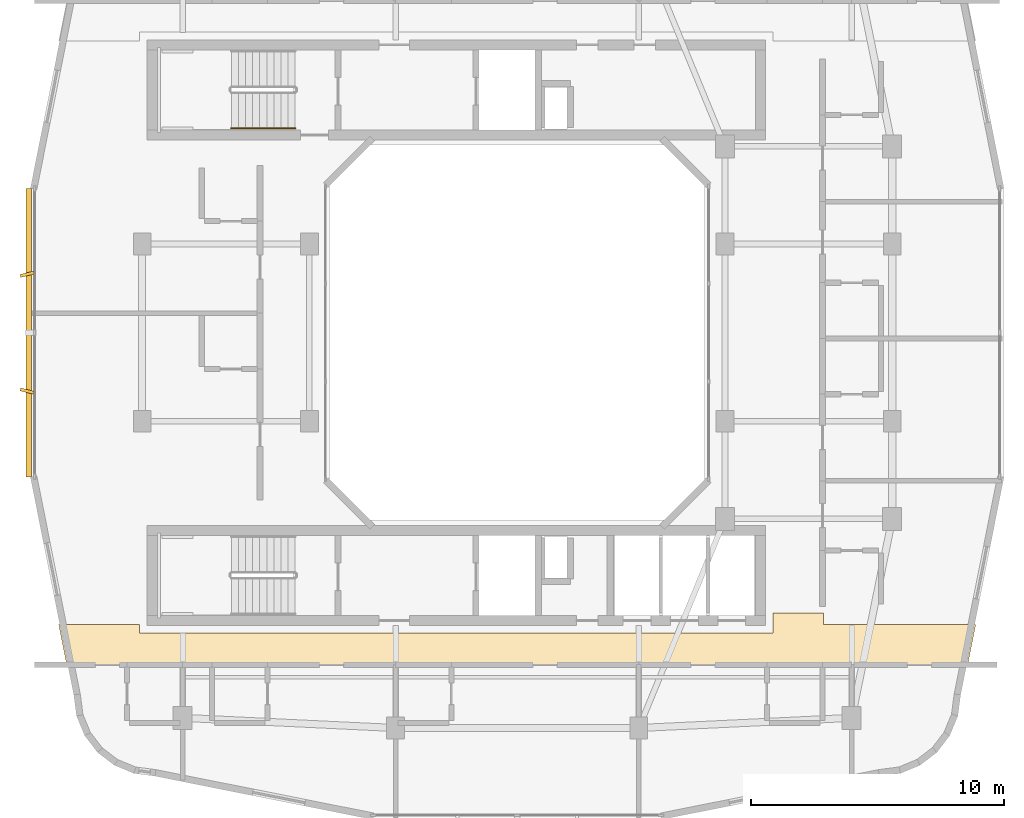
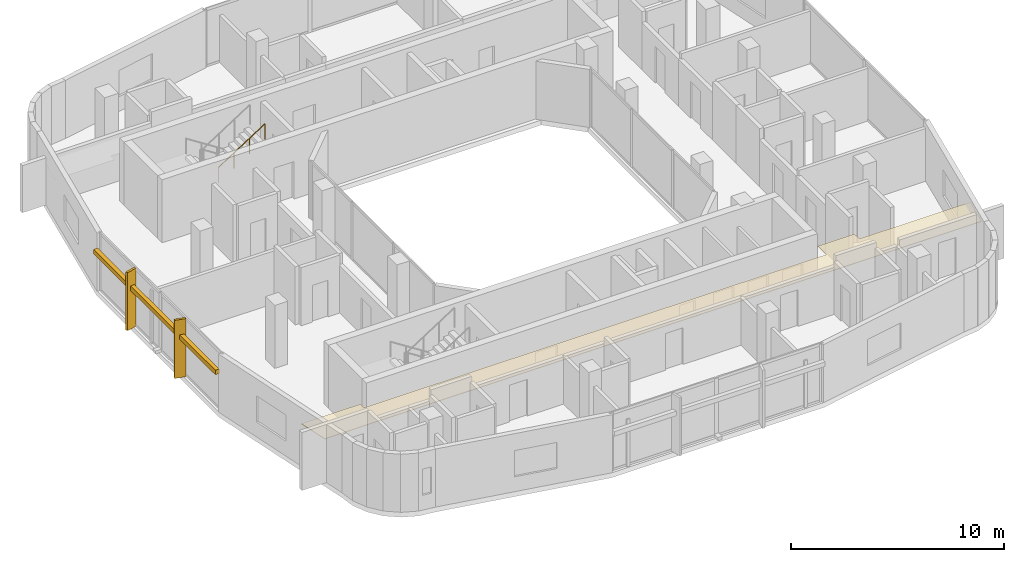
# One storey, part 12 of 14: 3 shading devices, 1 covering, 1 railing.
"""IFC4 building model written with IfcOpenShell, lengths in metres."""

from ifc_helpers import new_model, si_unit, derived_unit, direction, frame, origin, origin_2d, place, context, subcontext, project, spatial, polyline, rectangle, circle, outline, extrude, material, layer, layer_set, type_object, element, save


model = new_model("IFC4")

# Units and contexts
model_context = context("Model", 3, precision=1e-05, world=origin(), true_north=direction((0.0, 1.0)))
body_context = subcontext(model_context, "Body", "Model", "MODEL_VIEW")
ifc_project = project(units=[si_unit("LENGTHUNIT", "METRE"), si_unit("AREAUNIT", "SQUARE_METRE"), si_unit("VOLUMEUNIT", "CUBIC_METRE"), si_unit("PLANEANGLEUNIT", "RADIAN"), si_unit("MASSUNIT", "GRAM", prefix="KILO"), derived_unit("THERMALTRANSMITTANCEUNIT", [(si_unit("POWERUNIT", "WATT"), 1), (si_unit("LENGTHUNIT", "METRE"), -2), (si_unit("THERMODYNAMICTEMPERATUREUNIT", "KELVIN"), -1)])], contexts=[model_context])

# Site, building, storey
site_placement = place(None, origin())
site = spatial("IfcSite", under=ifc_project, at=site_placement, CompositionType="ELEMENT")
building_placement = place(site_placement, origin())
building = spatial("IfcBuilding", under=site, at=building_placement, Name="Kivonza Crest Hotel", CompositionType="ELEMENT")
storey_placement = place(building_placement, frame((0.0, 0.0, 224.300048828125)))
storey = spatial("IfcBuildingStorey", under=building, at=storey_placement, Name="L61", CompositionType="ELEMENT", Elevation=224.300048828125)

# Covering
ifc_material_1 = material(Name="Moisture-resistant gypsum plasterboard ceiling", Category="gypsum")
ifc_layer = layer(ifc_material_1, 0.030029296875)
ifc_layer_set = layer_set([ifc_layer], Name="Moisture-resistant gypsum plasterboard ceiling")
covering_type = type_object("IfcCoveringType", Name="CV-CEIL-GYP", PredefinedType="CEILING", material=ifc_layer_set)
covering_placement = place(storey_placement, frame((0.0, 0.0, 2.449951171875)))
element("IfcCovering", 1, at=covering_placement, inside=storey, type_object=covering_type, Name="L61 Hotel South Guest Corridor suspended ceiling", PredefinedType="CEILING", context=body_context, shape_type="SweptSolid", body=[
    extrude(outline(polyline([(33.090087890625, 13.47998046875), (33.090087890625, 13.93994140625), (31.10009765625, 13.93994140625), (31.10009765625, 13.139892578125), (6.10009765625, 13.139892578125), (6.10009765625, 13.47998046875), (2.906005859375, 13.47998046875), (3.22802734375, 11.860107421875), (38.77197265625, 11.860107421875), (39.093994140625, 13.47998046875), (33.090087890625, 13.47998046875)])), origin(), (0.0, 0.0, 1.0), 0.030029296875),
])

# Railing
ifc_material_2 = material(Name="Brushed stainless steel handrail", Category="steel")
railing_type = type_object("IfcRailingType", Name="RL-HAND-900", PredefinedType="HANDRAIL", material=ifc_material_2)
railing_placement = place(storey_placement, frame((9.719970703125, 33.070068359375, 1.97998046875)))
element("IfcRailing", 2, at=railing_placement, inside=storey, type_object=railing_type, Name="L61 ST-T1-N stair handrail 2", PredefinedType="HANDRAIL", context=body_context, shape_type="SweptSolid", body=[
    extrude(circle(Radius=0.02392578125, at=origin_2d()), frame((0.0, 0.0, 0.8759765625), z_axis=(0.841199657755, 0.0, 0.540724639528), x_axis=(0.0, 1.0, 0.0)), (0.0, 0.0, 1.0), 2.995849609375),
    extrude(circle(Radius=0.02099609375, at=origin_2d()), origin(), (0.0, 0.0, 1.0), 0.851806640625),
    extrude(circle(Radius=0.02099609375, at=origin_2d()), frame((0.840087890625, 0.0, 0.5400390625)), (0.0, 0.0, 1.0), 0.851806640625),
    extrude(circle(Radius=0.02099609375, at=origin_2d()), frame((1.679931640625, 0.0, 1.079833984375)), (0.0, 0.0, 1.0), 0.851806640625),
    extrude(circle(Radius=0.02099609375, at=origin_2d()), frame((2.52001953125, 0.0, 1.619873046875)), (0.0, 0.0, 1.0), 0.851806640625),
])

# Shading devices
ifc_material_3 = material(Name="Kiln-fired Nairobi red-ochre terracotta", Category="masonry")
shading_device_type_1 = type_object("IfcShadingDeviceType", Name="SH-BAGUETTE-300", PredefinedType="USERDEFINED", material=ifc_material_3)
shading_device_placement = place(storey_placement, frame((1.719970703125, 25.0, 2.19384765625), z_axis=(0.0, 0.0, 1.0), x_axis=(0.0, -1.0, 0.0)))
element("IfcShadingDevice", 3, at=shading_device_placement, inside=storey, type_object=shading_device_type_1, Name="L61 terracotta baguette screen CW-T1-L61-35", ObjectType="BAGUETTE", PredefinedType="USERDEFINED", context=body_context, shape_type="SweptSolid", body=[
    extrude(rectangle(XDim=11.39990234375, YDim=0.219970703125, at=origin_2d()), origin(), (0.0, 0.0, 1.0), 0.260009765625),
])
ifc_material_4 = material(Name="Kiln-fired terracotta over extruded aluminium spine", Category="masonry")
shading_device_type_2 = type_object("IfcShadingDeviceType", Name="SH-FIN-550", PredefinedType="USERDEFINED", material=ifc_material_4)
for number, where, z_axis, x_axis, name in (
    (4, (1.659912109375, 27.303955078125, 0.0), (0.0, 0.0, 1.0), (0.2419218956, -0.970295726276, 0.0), "L61 vertical solar shading fin CW-T1-L61-35-1"),
    (5, (1.659912109375, 22.696044921875, 0.0), (0.0, 0.0, 1.0), (-0.2419218956, -0.970295726276, 0.0), "L61 vertical solar shading fin CW-T1-L61-35-2"),
):
    element("IfcShadingDevice", number, at=place(storey_placement, frame(where, z_axis=z_axis, x_axis=x_axis)), inside=storey, type_object=shading_device_type_2, Name=name, ObjectType="FIN", PredefinedType="USERDEFINED", context=body_context, shape_type="SweptSolid", body=[
        extrude(rectangle(XDim=0.1201171875, YDim=0.550048828125, at=origin_2d()), origin(), (0.0, 0.0, 1.0), 3.320068359375),
    ])

save(model, "model.ifc")
